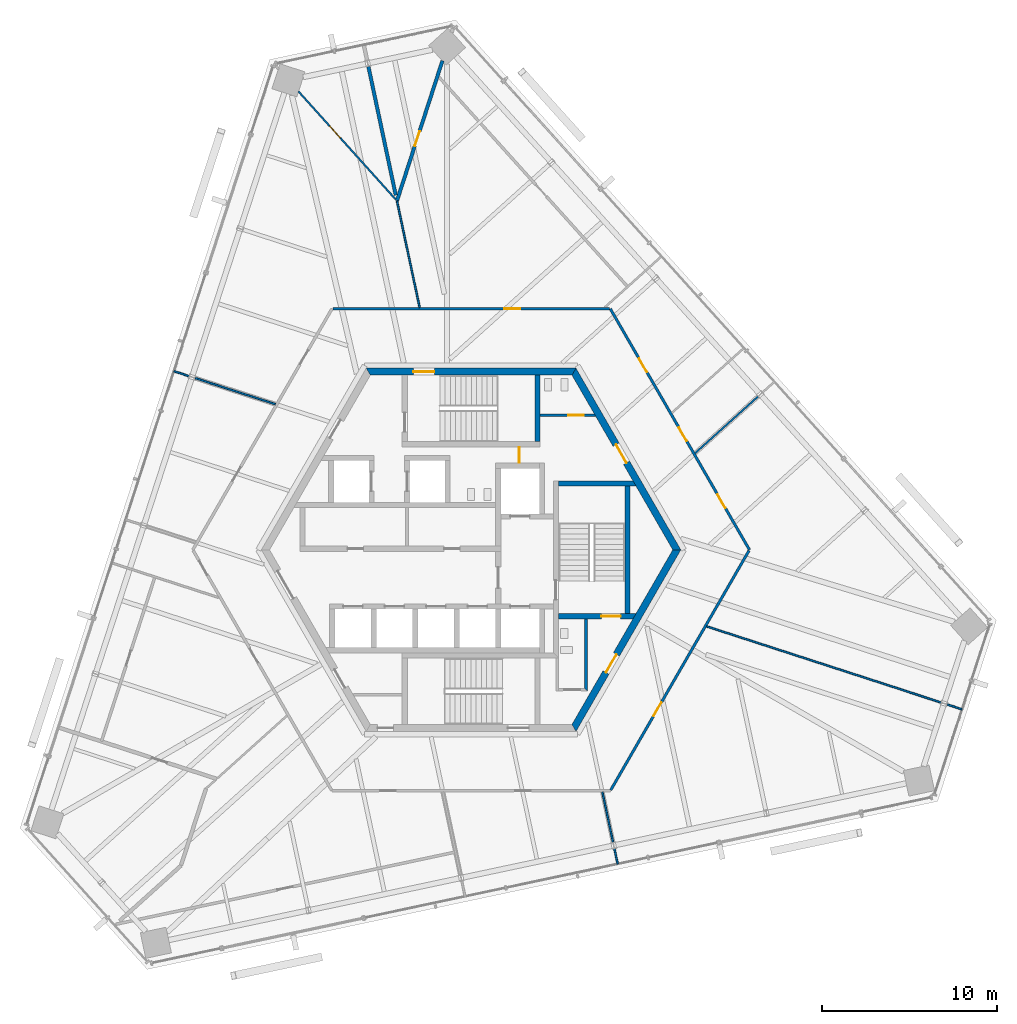
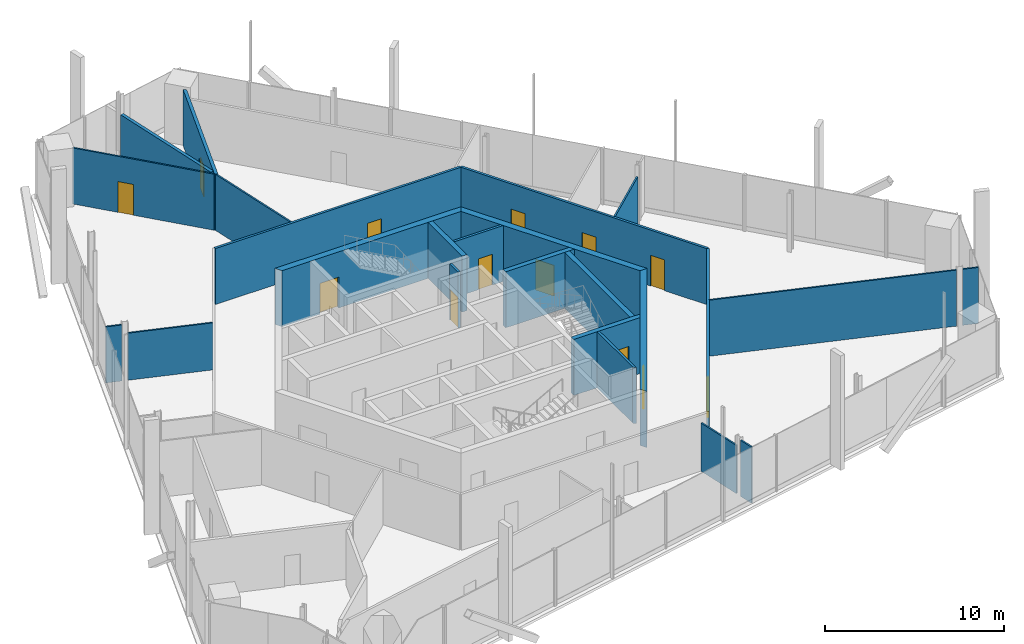
# One storey, part 12 of 17: 24 walls, 13 doors, 13 openings.
"""IFC4 building model written with IfcOpenShell, lengths in metres."""

import ifcopenshell
import ifcopenshell.guid

model = None  # the IFC model being written
_history = None  # IfcOwnerHistory: only IFC2X3 demands one
_inside = {}  # id of a spatial element -> (the spatial element, [elements in it])
_under = {}  # id of a project, library or spatial element -> (it, [spatial elements below it])
_declared = {}  # id of a project -> (the project, [libraries it declares])
_typed = {}  # id of a type object -> (the type object, [elements of that type])
_made_of = {}  # id of a material, layer set ... -> (it, [elements and type objects made of it])


def new_model(schema):
    """Start an empty IFC model of exactly this schema.

    Asked for "IFC4X3", IfcOpenShell would pick the latest addendum, in which some entities
    have other attributes; the version numbers below select the first issue.
    IFC2X3 requires an IfcOwnerHistory on every rooted entity: one is made here for all.
    """
    global model, _history
    if schema == "IFC4X3":
        model = ifcopenshell.file(schema_version=(4, 3, 0, 0))
    else:
        model = ifcopenshell.file(schema=schema)
    _inside.clear()
    _under.clear()
    _declared.clear()
    _typed.clear()
    _made_of.clear()
    _history = None
    if model.schema == "IFC2X3":
        org = make("IfcOrganization", Name="unknown")
        user = make(
            "IfcPersonAndOrganization",
            ThePerson=make("IfcPerson", FamilyName="unknown"),
            TheOrganization=org,
        )
        app = make(
            "IfcApplication",
            ApplicationDeveloper=org,
            Version="unknown",
            ApplicationFullName="unknown",
            ApplicationIdentifier="unknown",
        )
        _history = make(
            "IfcOwnerHistory",
            OwningUser=user,
            OwningApplication=app,
            ChangeAction="ADDED",
            CreationDate=0,
        )
    return model


def make(cls, **values):
    """One entity of the class cls with the attributes given. An attribute that is None is left unset."""
    return model.create_entity(
        cls, **{name: value for name, value in values.items() if value is not None}
    )


def rooted(cls, **values):
    """An entity with a GlobalId (a new one), such as an element, a storey or a relation."""
    return make(cls, GlobalId=ifcopenshell.guid.new(), OwnerHistory=_history, **values)


def si_unit(unit_type, name, prefix=None):
    """IfcSIUnit, for example si_unit("LENGTHUNIT", "METRE", prefix="MILLI")."""
    return make("IfcSIUnit", UnitType=unit_type, Prefix=prefix, Name=name)


def assignment(units):
    """IfcUnitAssignment: the units of a project."""
    return None if units is None else make("IfcUnitAssignment", Units=units)


def point(xyz):
    """IfcCartesianPoint."""
    return None if xyz is None else make("IfcCartesianPoint", Coordinates=xyz)


def direction(xyz):
    """IfcDirection."""
    return None if xyz is None else make("IfcDirection", DirectionRatios=xyz)


def frame(location, z_axis=None, x_axis=None):
    """IfcAxis2Placement3D, a coordinate frame: its origin and axes. An axis left out is left unset."""
    return make(
        "IfcAxis2Placement3D",
        Location=point(location),
        Axis=direction(z_axis),
        RefDirection=direction(x_axis),
    )


def frame_2d(location, x_axis=None):
    """IfcAxis2Placement2D, a coordinate frame in the plane: its origin and x axis."""
    return make(
        "IfcAxis2Placement2D", Location=point(location), RefDirection=direction(x_axis)
    )


def origin():
    """The frame at (0, 0, 0) with its axes left unset."""
    return frame((0.0, 0.0, 0.0))


def place(relative_to, where):
    """IfcLocalPlacement: puts the frame where relative to a parent placement (None: the world)."""
    return make(
        "IfcLocalPlacement", PlacementRelTo=relative_to, RelativePlacement=where
    )


def context(
    kind, dimensions, precision=None, world=None, true_north=None, identifier=None
):
    """IfcGeometricRepresentationContext, for example the 3D "Model" context."""
    return make(
        "IfcGeometricRepresentationContext",
        ContextIdentifier=identifier,
        ContextType=kind,
        CoordinateSpaceDimension=dimensions,
        Precision=precision,
        WorldCoordinateSystem=world,
        TrueNorth=true_north,
    )


def subcontext(parent, identifier, kind, view, scale=None):
    """IfcGeometricRepresentationSubContext, for example "Body" below "Model"."""
    return make(
        "IfcGeometricRepresentationSubContext",
        ContextIdentifier=identifier,
        ContextType=kind,
        ParentContext=parent,
        TargetScale=scale,
        TargetView=view,
    )


def project(units=None, contexts=None):
    """IfcProject with its units and contexts."""
    return rooted(
        "IfcProject",
        Name="project",
        RepresentationContexts=contexts,
        UnitsInContext=assignment(units),
    )


def spatial(cls, under=None, at=None, **own):
    """A site, building, storey or space (cls), placed at a placement, below another one or the project."""
    s = rooted(cls, ObjectPlacement=at, **own)
    if under is not None:
        _under.setdefault(under.id(), (under, []))[1].append(s)
    return s


def polyline(points):
    """IfcPolyline through the points."""
    return make("IfcPolyline", Points=[point(p) for p in points])


def profile(cls, at=None, kind="AREA", **sizes):
    """A parametric profile (cls). Its sizes go by their IFC names, for example OverallWidth=200.0."""
    return make(cls, ProfileType=kind, Position=at, **sizes)


def rectangle(**sizes):
    """IfcRectangleProfileDef."""
    return profile("IfcRectangleProfileDef", **sizes)


def outline(outer, holes=None, kind="AREA"):
    """IfcArbitraryClosedProfileDef: a profile drawn as a closed curve; with holes, ...WithVoids."""
    if holes is None:
        return make("IfcArbitraryClosedProfileDef", ProfileType=kind, OuterCurve=outer)
    return make(
        "IfcArbitraryProfileDefWithVoids",
        ProfileType=kind,
        OuterCurve=outer,
        InnerCurves=holes,
    )


def extrude(swept, where, along, depth):
    """IfcExtrudedAreaSolid: the profile swept, set in the frame where, extruded along a direction by depth."""
    return make(
        "IfcExtrudedAreaSolid",
        SweptArea=swept,
        Position=where,
        ExtrudedDirection=direction(along),
        Depth=depth,
    )


def shape(context_of_items, identifier, shape_type, items):
    """IfcShapeRepresentation: the items that make up one representation, for example the "Body"."""
    return make(
        "IfcShapeRepresentation",
        ContextOfItems=context_of_items,
        RepresentationIdentifier=identifier,
        RepresentationType=shape_type,
        Items=items,
    )


def source(mapping_origin, context_of_items, identifier, shape_type, items):
    """IfcRepresentationMap: a shape defined once, which mapped items show again and again."""
    return make(
        "IfcRepresentationMap",
        MappingOrigin=mapping_origin,
        MappedRepresentation=shape(context_of_items, identifier, shape_type, items),
    )


def transform(
    local_origin,
    x_axis=None,
    y_axis=None,
    z_axis=None,
    scale=None,
    scale2=None,
    scale3=None,
    uniform=True,
):
    """IfcCartesianTransformationOperator3D, or its non-uniform kind. x_axis, y_axis, z_axis: its Axis1, 2, 3."""
    if uniform:
        return make(
            "IfcCartesianTransformationOperator3D",
            Axis1=direction(x_axis),
            Axis2=direction(y_axis),
            LocalOrigin=point(local_origin),
            Scale=scale,
            Axis3=direction(z_axis),
        )
    return make(
        "IfcCartesianTransformationOperator3DnonUniform",
        Axis1=direction(x_axis),
        Axis2=direction(y_axis),
        LocalOrigin=point(local_origin),
        Scale=scale,
        Axis3=direction(z_axis),
        Scale2=scale2,
        Scale3=scale3,
    )


def mapped(mapping_source, mapping_target):
    """IfcMappedItem: shows the shape of a source again, moved by a transform."""
    return make(
        "IfcMappedItem", MappingSource=mapping_source, MappingTarget=mapping_target
    )


def material(Name=None, Category=None):
    """IfcMaterial."""
    return make("IfcMaterial", Name=Name, Category=Category)


def layer(
    of_material, thickness, ventilated=None, Name=None, Category=None, Priority=None
):
    """IfcMaterialLayer: one layer of a wall or slab, of a material (None: an air gap)."""
    return make(
        "IfcMaterialLayer",
        Material=of_material,
        LayerThickness=thickness,
        IsVentilated=ventilated,
        Name=Name,
        Category=Category,
        Priority=Priority,
    )


def layer_set(layers, Name=None):
    """IfcMaterialLayerSet."""
    return make("IfcMaterialLayerSet", MaterialLayers=layers, LayerSetName=Name)


def made_of(thing, what):
    """Note that an element or type object is made of a material, layer set ...; save() writes the relation."""
    if what is not None:
        _made_of.setdefault(what.id(), (what, []))[1].append(thing)
    return thing


def type_object(cls, material=None, **own):
    """A type object (cls), such as IfcWallType, which elements share."""
    return made_of(rooted(cls, **own), material)


def element(
    cls,
    number,
    at=None,
    inside=None,
    cuts=None,
    type_object=None,
    material=None,
    context=None,
    identifier="Body",
    shape_type=None,
    held_by="IfcProductDefinitionShape",
    body=None,
    shapes=None,
    **own,
):
    """One element of the class cls, such as IfcWall. Its Tag is "e" and its number.

    at: its placement. inside: the storey or other place that contains it. cuts: it is an
    opening in that element (IfcRelVoidsElement). A single representation is given by context,
    identifier, shape_type and body (its items); several are given by shapes. held_by: the class
    of the entity that holds the representations. save() writes the other relations.
    """
    e = rooted(cls, Tag="e%d" % number, ObjectPlacement=at, **own)
    if body is not None:
        shapes = [shape(context, identifier, shape_type, body)]
    if shapes is not None:
        e.Representation = make(held_by, Representations=shapes)
    if inside is not None:
        _inside.setdefault(inside.id(), (inside, []))[1].append(e)
    if cuts is not None:
        rooted(
            "IfcRelVoidsElement", RelatingBuildingElement=cuts, RelatedOpeningElement=e
        )
    if type_object is not None:
        _typed.setdefault(type_object.id(), (type_object, []))[1].append(e)
    return made_of(e, material)


def fill(opening, filler):
    """IfcRelFillsElement: the door or window that sits in an opening."""
    return rooted(
        "IfcRelFillsElement",
        RelatingOpeningElement=opening,
        RelatedBuildingElement=filler,
    )


def aggregate(whole, parts):
    """IfcRelAggregates: a whole, such as a stair, and the parts it consists of."""
    return rooted("IfcRelAggregates", RelatingObject=whole, RelatedObjects=parts)


def save(model, path):
    """Write the relations noted so far, then the file.

    IfcRelAggregates (storeys below a building ...), IfcRelContainedInSpatialStructure (elements
    in a storey), IfcRelDefinesByType, IfcRelAssociatesMaterial and IfcRelDeclares: one each for
    every whole, place, type object, material and project.
    """
    for whole, parts in _under.values():
        aggregate(whole, parts)
    for where, things in _inside.values():
        rooted(
            "IfcRelContainedInSpatialStructure",
            RelatedElements=things,
            RelatingStructure=where,
        )
    for kind, things in _typed.values():
        rooted("IfcRelDefinesByType", RelatedObjects=things, RelatingType=kind)
    for what, things in _made_of.values():
        rooted("IfcRelAssociatesMaterial", RelatedObjects=things, RelatingMaterial=what)
    for by, libraries in _declared.values():
        rooted("IfcRelDeclares", RelatingContext=by, RelatedDefinitions=libraries)
    model.write(path)


model = new_model("IFC4")

# Units and contexts
model_context = context("Model", 3, precision=1e-05, world=origin(), true_north=direction((0.0, 1.0)))
body_context = subcontext(model_context, "Body", "Model", "MODEL_VIEW")
ifc_project = project(units=[si_unit("LENGTHUNIT", "METRE"), si_unit("AREAUNIT", "SQUARE_METRE"), si_unit("VOLUMEUNIT", "CUBIC_METRE"), si_unit("PLANEANGLEUNIT", "RADIAN"), si_unit("MASSUNIT", "GRAM", prefix="KILO")], contexts=[model_context])

# Site, building, storey
site_placement = place(None, origin())
site = spatial("IfcSite", under=ifc_project, at=site_placement, CompositionType="ELEMENT")
building_placement = place(site_placement, origin())
building = spatial("IfcBuilding", under=site, at=building_placement, Name="Triune Harvest Tower", CompositionType="ELEMENT")
storey_placement = place(building_placement, frame((0.0, 0.0, 288.699951171875)))
storey = spatial("IfcBuildingStorey", under=building, at=storey_placement, Name="L76", CompositionType="ELEMENT", Elevation=288.699951171875)

# Wall, opening, door
ifc_material_1 = material(Name="Gypsum board on steel studs", Category="steel")
ifc_layer_1 = layer(ifc_material_1, 0.14990234375)
ifc_layer_set_1 = layer_set([ifc_layer_1], Name="Gypsum board on steel studs")
wall_type_1 = type_object("IfcWallType", Name="Fire Partition 150 mm", PredefinedType="PARTITIONING", material=ifc_layer_set_1)
wall_1_placement = place(storey_placement, frame((-7.9130859375, 13.792236328125, 0.0), z_axis=(0.0, 0.0, 1.0), x_axis=(1.0, 0.0, 0.0)))
wall_1 = element("IfcWall", 1, at=wall_1_placement, inside=storey, type_object=wall_type_1, Name="Partition L76 022", PredefinedType="PARTITIONING", context=body_context, shape_type="SweptSolid", body=[
    extrude(rectangle(XDim=15.826171875, YDim=0.14990234375, at=frame_2d((7.9130859375, 0.0))), origin(), (0.0, 0.0, 1.0), 3.820068359375),
])
opening_1_placement = place(wall_1_placement, frame((9.8212890625, 0.0, 0.0)))
opening_1 = element("IfcOpeningElement", 2, at=opening_1_placement, cuts=wall_1, Name="Opening L76-002", PredefinedType="OPENING", context=body_context, shape_type="SweptSolid", body=[
    extrude(rectangle(XDim=0.89990234375, YDim=2.10009765625, at=frame_2d((0.449951171875, 1.050048828125))), frame((0.0, 0.0849609375, 0.0), z_axis=(0.0, -1.0, 0.0), x_axis=(1.0, 0.0, 0.0)), (0.0, 0.0, 1.0), 0.169921875),
])
ifc_material_2 = material(Name="Timber and steel door set", Category="steel")
door_type_1 = type_object("IfcDoorType", Name="Single leaf door FD30 right hand 900 x 2100", OperationType="SINGLE_SWING_RIGHT", PredefinedType="DOOR", material=ifc_material_2)
door_1_placement = place(opening_1_placement, origin())
door_1 = element("IfcDoor", 3, at=door_1_placement, inside=storey, type_object=door_type_1, Name="Door L76-002 Event Hall 76.02", OperationType="SINGLE_SWING_RIGHT", OverallHeight=2.10009765625, OverallWidth=0.89990234375, PredefinedType="DOOR", context=body_context, shape_type="SweptSolid", body=[
    extrude(rectangle(XDim=0.89990234375, YDim=2.10009765625, at=frame_2d((0.449951171875, 1.050048828125))), frame((0.0, 0.02490234375, 0.0), z_axis=(0.0, -1.0, 0.0), x_axis=(1.0, 0.0, 0.0)), (0.0, 0.0, 1.0), 0.050048828125),
])
fill(opening_1, door_1)

wall_2_placement = place(storey_placement, frame((7.988037109375, -13.7490234375, 0.0), z_axis=(0.0, 0.0, 1.0), x_axis=(0.499989971604, 0.866031193604, 0.0)))
wall_2 = element("IfcWall", 4, at=wall_2_placement, inside=storey, type_object=wall_type_1, Name="Partition L76 031", PredefinedType="PARTITIONING", context=body_context, shape_type="SweptSolid", body=[
    extrude(rectangle(XDim=15.825927734375, YDim=0.14990234375, at=frame_2d((7.9130859375, 0.0))), origin(), (0.0, 0.0, 1.0), 3.820068359375),
])
opening_2_placement = place(wall_2_placement, frame((4.89990234375, 0.0, 0.0)))
opening_2 = element("IfcOpeningElement", 5, at=opening_2_placement, cuts=wall_2, Name="Opening L76-017", PredefinedType="OPENING", context=body_context, shape_type="SweptSolid", body=[
    extrude(rectangle(XDim=0.89990234375, YDim=2.10009765625, at=frame_2d((0.449951171875, 1.050048828125))), frame((0.0, 0.0849609375, 0.0), z_axis=(0.0, -1.0, 0.0), x_axis=(1.0, 0.0, 0.0)), (0.0, 0.0, 1.0), 0.169921875),
])
door_2_placement = place(opening_2_placement, origin())
door_2 = element("IfcDoor", 6, at=door_2_placement, inside=storey, type_object=door_type_1, Name="Door L76-017 Event Store Room 76.17", OperationType="SINGLE_SWING_RIGHT", OverallHeight=2.10009765625, OverallWidth=0.89990234375, PredefinedType="DOOR", context=body_context, shape_type="SweptSolid", body=[
    extrude(rectangle(XDim=0.89990234375, YDim=2.10009765625, at=frame_2d((0.449951171875, 1.050048828125))), frame((0.0, 0.02490234375, 0.0), z_axis=(0.0, -1.0, 0.0), x_axis=(1.0, 0.0, 0.0)), (0.0, 0.0, 1.0), 0.050048828125),
])
fill(opening_2, door_2)

# Wall
ifc_material_3 = material(Name="Gypsum board on steel studs", Category="steel")
ifc_layer_2 = layer(ifc_material_3, 0.199951171875)
ifc_layer_set_2 = layer_set([ifc_layer_2], Name="Gypsum board on steel studs")
wall_type_2 = type_object("IfcWallType", Name="Fire Wall 200 mm", PredefinedType="PARTITIONING", material=ifc_layer_set_2)
wall_3_placement = place(storey_placement, frame((-5.8798828125, 27.66357421875, 0.0), z_axis=(0.0, 0.0, 1.0), x_axis=(0.20790718491, -0.978148558483, 0.0)))
element("IfcWall", 7, at=wall_3_placement, inside=storey, type_object=wall_type_2, Name="Partition L76 004", PredefinedType="PARTITIONING", context=body_context, shape_type="SweptSolid", body=[
    extrude(rectangle(XDim=7.53662109375, YDim=0.199951171875, at=frame_2d((3.768310546875, 0.0))), origin(), (0.0, 0.0, 1.0), 3.820068359375),
])

# Wall, opening, door
wall_4_placement = place(storey_placement, frame((-4.244384765625, 19.968994140625, 0.0), z_axis=(0.0, 0.0, 1.0), x_axis=(0.309003515678, 0.951060895684, 0.0)))
wall_4 = element("IfcWall", 8, at=wall_4_placement, inside=storey, type_object=wall_type_2, Name="Partition L76 034", PredefinedType="PARTITIONING", context=body_context, shape_type="SweptSolid", body=[
    extrude(rectangle(XDim=8.425537109375, YDim=0.199951171875, at=frame_2d((4.212890625, 0.0))), origin(), (0.0, 0.0, 1.0), 3.820068359375),
])
opening_3_placement = place(wall_4_placement, frame((3.291259765625, 0.0, 0.0)))
opening_3 = element("IfcOpeningElement", 9, at=opening_3_placement, cuts=wall_4, Name="Opening L76-006", PredefinedType="OPENING", context=body_context, shape_type="SweptSolid", body=[
    extrude(rectangle(XDim=0.89990234375, YDim=2.10009765625, at=frame_2d((0.449951171875, 1.050048828125))), frame((0.0, 0.10986328125, 0.0), z_axis=(0.0, -1.0, 0.0), x_axis=(1.0, 0.0, 0.0)), (0.0, 0.0, 1.0), 0.219970703125),
])
ifc_material_4 = material(Name="Timber and steel door set", Category="steel")
door_type_2 = type_object("IfcDoorType", Name="Single leaf door FD60 left hand 900 x 2100", OperationType="SINGLE_SWING_LEFT", PredefinedType="DOOR", material=ifc_material_4)
door_3_placement = place(opening_3_placement, origin())
door_3 = element("IfcDoor", 10, at=door_3_placement, inside=storey, type_object=door_type_2, Name="Door L76-006 Catering Kitchen 76.06", OperationType="SINGLE_SWING_LEFT", OverallHeight=2.10009765625, OverallWidth=0.89990234375, PredefinedType="DOOR", context=body_context, shape_type="SweptSolid", body=[
    extrude(rectangle(XDim=0.89990234375, YDim=2.10009765625, at=frame_2d((0.449951171875, 1.050048828125))), frame((0.0, 0.02490234375, 0.0), z_axis=(0.0, -1.0, 0.0), x_axis=(1.0, 0.0, 0.0)), (0.0, 0.0, 1.0), 0.050048828125),
])
fill(opening_3, door_3)

# Wall
ifc_material_5 = material(Name="Gypsum board on steel studs", Category="steel")
ifc_layer_3 = layer(ifc_material_5, 0.10009765625)
ifc_layer_set_3 = layer_set([ifc_layer_3], Name="Gypsum board on steel studs")
wall_type_3 = type_object("IfcWallType", Name="Partition 100 mm", PredefinedType="PARTITIONING", material=ifc_layer_set_3)
wall_5_placement = place(storey_placement, frame((-4.242431640625, 19.959228515625, 0.0), z_axis=(0.0, 0.0, 1.0), x_axis=(0.207894817732, -0.978151187067, 0.0)))
element("IfcWall", 11, at=wall_5_placement, inside=storey, type_object=wall_type_3, Name="Partition L76 005", PredefinedType="PARTITIONING", context=body_context, shape_type="SweptSolid", body=[
    extrude(rectangle(XDim=6.234619140625, YDim=0.10009765625, at=frame_2d((3.1171875, 0.0))), origin(), (0.0, 0.0, 1.0), 3.820068359375),
])

# Wall, opening, door
wall_6_placement = place(storey_placement, frame((-9.88232421875, 26.23046875, 0.0), z_axis=(0.0, 0.0, 1.0), x_axis=(0.66913036208, -0.743145045427, 0.0)))
wall_6 = element("IfcWall", 12, at=wall_6_placement, inside=storey, type_object=wall_type_3, Name="Partition L76 011", PredefinedType="PARTITIONING", context=body_context, shape_type="SweptSolid", body=[
    extrude(rectangle(XDim=8.3056640625, YDim=0.10009765625, at=frame_2d((4.15283203125, 0.0))), origin(), (0.0, 0.0, 1.0), 3.820068359375),
])
opening_4_placement = place(wall_6_placement, frame((2.675537109375, 0.0, 0.0)))
opening_4 = element("IfcOpeningElement", 13, at=opening_4_placement, cuts=wall_6, Name="Opening L76-007", PredefinedType="OPENING", context=body_context, shape_type="SweptSolid", body=[
    extrude(rectangle(XDim=0.89990234375, YDim=2.10009765625, at=frame_2d((0.449951171875, 1.050048828125))), frame((0.0, 0.06005859375, 0.0), z_axis=(0.0, -1.0, 0.0), x_axis=(1.0, 0.0, 0.0)), (0.0, 0.0, 1.0), 0.1201171875),
])
ifc_material_6 = material(Name="Timber and steel door set", Category="steel")
door_type_3 = type_object("IfcDoorType", Name="Single leaf door left hand 900 x 2100", OperationType="SINGLE_SWING_LEFT", PredefinedType="DOOR", material=ifc_material_6)
door_4_placement = place(opening_4_placement, origin())
door_4 = element("IfcDoor", 14, at=door_4_placement, inside=storey, type_object=door_type_3, Name="Door L76-007 Performers Suite 76.07", OperationType="SINGLE_SWING_LEFT", OverallHeight=2.10009765625, OverallWidth=0.89990234375, PredefinedType="DOOR", context=body_context, shape_type="SweptSolid", body=[
    extrude(rectangle(XDim=0.89990234375, YDim=2.10009765625, at=frame_2d((0.449951171875, 1.050048828125))), frame((0.0, 0.02490234375, 0.0), z_axis=(0.0, -1.0, 0.0), x_axis=(1.0, 0.0, 0.0)), (0.0, 0.0, 1.0), 0.050048828125),
])
fill(opening_4, door_4)

# Walls
wall_7_placement = place(storey_placement, frame((13.476806640625, -4.37890625, 0.0), z_axis=(0.0, 0.0, 1.0), x_axis=(0.951057332998, -0.309014480811, 0.0)))
element("IfcWall", 15, at=wall_7_placement, inside=storey, type_object=wall_type_3, Name="Partition L76 017", PredefinedType="PARTITIONING", context=body_context, shape_type="SweptSolid", body=[
    extrude(rectangle(XDim=14.111328125, YDim=0.10009765625, at=frame_2d((7.0556640625, 0.0))), origin(), (0.0, 0.0, 1.0), 3.820068359375),
])
wall_8_placement = place(storey_placement, frame((12.8125, 5.529541015625, 0.0), z_axis=(0.0, 0.0, 1.0), x_axis=(0.743166544571, 0.669106484074, 0.0)))
element("IfcWall", 16, at=wall_8_placement, inside=storey, type_object=wall_type_3, Name="Partition L76 024", PredefinedType="PARTITIONING", context=body_context, shape_type="SweptSolid", body=[
    extrude(rectangle(XDim=4.8525390625, YDim=0.10009765625, at=frame_2d((2.42626953125, 0.0))), origin(), (0.0, 0.0, 1.0), 3.207763671875),
])

# Wall, opening, door
ifc_material_7 = material(Name="Concrete 70 MPa", Category="concrete")
ifc_layer_4 = layer(ifc_material_7, 0.39990234375)
ifc_layer_set_4 = layer_set([ifc_layer_4], Name="Concrete 70 MPa")
wall_type_4 = type_object("IfcWallType", Name="Core wall 400", PredefinedType="SHEAR", material=ifc_layer_set_4)
shared_shape_1 = source(origin(), body_context, "Body", "SweptSolid", [
    extrude(outline(polyline([(-0.115478515625, -0.199951171875), (11.884521484375, -0.199951171875), (11.653564453125, 0.199951171875), (0.115478515625, 0.199951171875), (-0.115478515625, -0.199951171875)])), origin(), (0.0, 0.0, 1.0), 3.820068359375),
])
wall_9_placement = place(storey_placement, frame((11.76904296875, 0.0, 0.0), z_axis=(0.0, 0.0, 1.0), x_axis=(-0.499996592174, 0.866027371285, 0.0)))
wall_9 = element("IfcWall", 17, at=wall_9_placement, inside=storey, type_object=wall_type_4, Name="Hexagon 0 wall", PredefinedType="SHEAR", context=body_context, shape_type="MappedRepresentation", body=[
    mapped(shared_shape_1, transform((0.0, 0.0, 0.0), scale=1.0)),
])
opening_5_placement = place(wall_9_placement, frame((5.75048828125, 0.0, 0.0)))
opening_5 = element("IfcOpeningElement", 18, at=opening_5_placement, cuts=wall_9, Name="Opening CD-WCP", PredefinedType="OPENING", context=body_context, shape_type="SweptSolid", body=[
    extrude(rectangle(XDim=1.199951171875, YDim=2.10009765625, at=frame_2d((0.60009765625, 1.050048828125))), frame((0.0, 0.2099609375, 0.0), z_axis=(0.0, -1.0, 0.0), x_axis=(1.0, 0.0, 0.0)), (0.0, 0.0, 1.0), 0.419921875),
])
ifc_material_8 = material(Name="Steel S235", Category="steel")
door_type_4 = type_object("IfcDoorType", Name="Lobby door 1200 FD120", OperationType="SINGLE_SWING_LEFT", PredefinedType="DOOR", material=ifc_material_8)
door_5_placement = place(opening_5_placement, frame((1.199951171875, 0.0, 0.0), z_axis=(0.0, 0.0, 1.0), x_axis=(-1.0, 0.0, 0.0)))
door_5 = element("IfcDoor", 19, at=door_5_placement, inside=storey, type_object=door_type_4, Name="Door CD-WCP", OperationType="SINGLE_SWING_RIGHT", OverallHeight=2.10009765625, OverallWidth=1.199951171875, PredefinedType="DOOR", context=body_context, shape_type="SweptSolid", body=[
    extrude(rectangle(XDim=1.199951171875, YDim=2.10009765625, at=frame_2d((0.60009765625, 1.050048828125))), frame((0.0, 0.02490234375, 0.0), z_axis=(0.0, -1.0, 0.0), x_axis=(1.0, 0.0, 0.0)), (0.0, 0.0, 1.0), 0.050048828125),
])
fill(opening_5, door_5)

wall_10_placement = place(storey_placement, frame((5.884521484375, 10.1923828125, 0.0), z_axis=(0.0, 0.0, 1.0), x_axis=(-1.0, 0.0, 0.0)))
wall_10 = element("IfcWall", 20, at=wall_10_placement, inside=storey, type_object=wall_type_4, Name="Hexagon 1 wall", PredefinedType="SHEAR", context=body_context, shape_type="MappedRepresentation", body=[
    mapped(shared_shape_1, transform((0.0, 0.0, 0.0), scale=1.0)),
])
opening_6_placement = place(wall_10_placement, frame((7.984619140625, 0.0, 0.0)))
opening_6 = element("IfcOpeningElement", 21, at=opening_6_placement, cuts=wall_10, Name="Opening CD-S1P", PredefinedType="OPENING", context=body_context, shape_type="SweptSolid", body=[
    extrude(rectangle(XDim=1.199951171875, YDim=2.10009765625, at=frame_2d((0.60009765625, 1.050048828125))), frame((0.0, 0.2099609375, 0.0), z_axis=(0.0, -1.0, 0.0), x_axis=(1.0, 0.0, 0.0)), (0.0, 0.0, 1.0), 0.419921875),
])
ifc_material_9 = material(Name="Steel S235", Category="steel")
door_type_5 = type_object("IfcDoorType", Name="Stair door 1200 FD120", OperationType="SINGLE_SWING_LEFT", PredefinedType="DOOR", material=ifc_material_9)
door_6_placement = place(opening_6_placement, frame((1.199951171875, 0.0, 0.0), z_axis=(0.0, 0.0, 1.0), x_axis=(-1.0, 0.0, 0.0)))
door_6 = element("IfcDoor", 22, at=door_6_placement, inside=storey, type_object=door_type_5, Name="Door CD-S1P", OperationType="SINGLE_SWING_RIGHT", OverallHeight=2.10009765625, OverallWidth=1.199951171875, PredefinedType="DOOR", context=body_context, shape_type="SweptSolid", body=[
    extrude(rectangle(XDim=1.199951171875, YDim=2.10009765625, at=frame_2d((0.60009765625, 1.050048828125))), frame((0.0, 0.02490234375, 0.0), z_axis=(0.0, -1.0, 0.0), x_axis=(1.0, 0.0, 0.0)), (0.0, 0.0, 1.0), 0.050048828125),
])
fill(opening_6, door_6)

wall_11_placement = place(storey_placement, frame((5.884521484375, -10.1923828125, 0.0), z_axis=(0.0, 0.0, 1.0), x_axis=(0.499996592174, 0.866027371285, 0.0)))
wall_11 = element("IfcWall", 23, at=wall_11_placement, inside=storey, type_object=wall_type_4, Name="Hexagon 5 wall", PredefinedType="SHEAR", context=body_context, shape_type="MappedRepresentation", body=[
    mapped(shared_shape_1, transform((0.0, 0.0, 0.0), scale=1.0)),
])
opening_7_placement = place(wall_11_placement, frame((3.66455078125, 0.0, 0.0)))
opening_7 = element("IfcOpeningElement", 24, at=opening_7_placement, cuts=wall_11, Name="Opening CD-DP", PredefinedType="OPENING", context=body_context, shape_type="SweptSolid", body=[
    extrude(rectangle(XDim=1.199951171875, YDim=2.10009765625, at=frame_2d((0.60009765625, 1.050048828125))), frame((0.0, 0.2099609375, 0.0), z_axis=(0.0, -1.0, 0.0), x_axis=(1.0, 0.0, 0.0)), (0.0, 0.0, 1.0), 0.419921875),
])
door_7_placement = place(opening_7_placement, frame((1.199951171875, 0.0, 0.0), z_axis=(0.0, 0.0, 1.0), x_axis=(-1.0, 0.0, 0.0)))
door_7 = element("IfcDoor", 25, at=door_7_placement, inside=storey, type_object=door_type_5, Name="Door CD-DP", OperationType="SINGLE_SWING_RIGHT", OverallHeight=2.10009765625, OverallWidth=1.199951171875, PredefinedType="DOOR", context=body_context, shape_type="SweptSolid", body=[
    extrude(rectangle(XDim=1.199951171875, YDim=2.10009765625, at=frame_2d((0.60009765625, 1.050048828125))), frame((0.0, 0.02490234375, 0.0), z_axis=(0.0, -1.0, 0.0), x_axis=(1.0, 0.0, 0.0)), (0.0, 0.0, 1.0), 0.050048828125),
])
fill(opening_7, door_7)

# Wall
ifc_material_10 = material(Name="Concrete 70 MPa", Category="concrete")
ifc_layer_5 = layer(ifc_material_10, 0.300048828125)
ifc_layer_set_5 = layer_set([ifc_layer_5], Name="Concrete 70 MPa")
wall_type_5 = type_object("IfcWallType", Name="Core wall 300", PredefinedType="SHEAR", material=ifc_layer_set_5)
shared_shape_2 = source(origin(), body_context, "Body", "SweptSolid", [
    extrude(outline(polyline([(0.0, -0.14990234375), (0.0, 0.14990234375), (4.260009765625, 0.14990234375), (4.43310546875, -0.14990234375), (0.0, -0.14990234375)])), origin(), (0.0, 0.0, 1.0), 3.820068359375),
])
wall_12_placement = place(storey_placement, frame((5.0, 3.800048828125, 0.0), z_axis=(0.0, 0.0, 1.0), x_axis=(1.0, 0.0, 0.0)))
element("IfcWall", 26, at=wall_12_placement, inside=storey, type_object=wall_type_5, Name="Stair e north wall", PredefinedType="SHEAR", context=body_context, shape_type="MappedRepresentation", body=[
    mapped(shared_shape_2, transform((0.0, 0.0, 0.0), scale=1.0)),
])

# Wall, opening, door
shared_shape_3 = source(origin(), body_context, "Body", "SweptSolid", [
    extrude(outline(polyline([(0.0, -0.14990234375), (0.0, 0.14990234375), (4.43310546875, 0.14990234375), (4.260009765625, -0.14990234375), (0.0, -0.14990234375)])), origin(), (0.0, 0.0, 1.0), 3.820068359375),
])
wall_13_placement = place(storey_placement, frame((5.0, -3.800048828125, 0.0), z_axis=(0.0, 0.0, 1.0), x_axis=(1.0, 0.0, 0.0)))
wall_13 = element("IfcWall", 27, at=wall_13_placement, inside=storey, type_object=wall_type_5, Name="Stair e south wall", PredefinedType="SHEAR", context=body_context, shape_type="MappedRepresentation", body=[
    mapped(shared_shape_3, transform((0.0, 0.0, 0.0), scale=1.0)),
])
opening_8_placement = place(wall_13_placement, frame((2.449951171875, 0.0, 0.0)))
opening_8 = element("IfcOpeningElement", 28, at=opening_8_placement, cuts=wall_13, Name="Opening CD-S3D", PredefinedType="OPENING", context=body_context, shape_type="SweptSolid", body=[
    extrude(rectangle(XDim=1.10009765625, YDim=2.10009765625, at=frame_2d((0.550048828125, 1.050048828125))), frame((0.0, 0.16015625, 0.0), z_axis=(0.0, -1.0, 0.0), x_axis=(1.0, 0.0, 0.0)), (0.0, 0.0, 1.0), 0.320068359375),
])
ifc_material_11 = material(Name="Steel S235", Category="steel")
door_type_6 = type_object("IfcDoorType", Name="Stair door 1100 FD120", OperationType="SINGLE_SWING_LEFT", PredefinedType="DOOR", material=ifc_material_11)
door_8_placement = place(opening_8_placement, frame((1.10009765625, 0.0, 0.0), z_axis=(0.0, 0.0, 1.0), x_axis=(-1.0, 0.0, 0.0)))
door_8 = element("IfcDoor", 29, at=door_8_placement, inside=storey, type_object=door_type_6, Name="Door CD-S3D", OperationType="SINGLE_SWING_RIGHT", OverallHeight=2.10009765625, OverallWidth=1.10009765625, PredefinedType="DOOR", context=body_context, shape_type="SweptSolid", body=[
    extrude(rectangle(XDim=1.10009765625, YDim=2.10009765625, at=frame_2d((0.550048828125, 1.050048828125))), frame((0.0, 0.02490234375, 0.0), z_axis=(0.0, -1.0, 0.0), x_axis=(1.0, 0.0, 0.0)), (0.0, 0.0, 1.0), 0.050048828125),
])
fill(opening_8, door_8)

# Walls
shared_shape_4 = source(origin(), body_context, "Body", "SweptSolid", [
    extrude(rectangle(XDim=7.2998046875, YDim=0.300048828125, at=frame_2d((3.64990234375, 0.0))), origin(), (0.0, 0.0, 1.0), 3.820068359375),
])
wall_14_placement = place(storey_placement, frame((8.949951171875, -3.64990234375, 0.0), z_axis=(0.0, 0.0, 1.0), x_axis=(0.0, 1.0, 0.0)))
element("IfcWall", 30, at=wall_14_placement, inside=storey, type_object=wall_type_5, Name="Stair e east wall", PredefinedType="SHEAR", context=body_context, shape_type="MappedRepresentation", body=[
    mapped(shared_shape_4, transform((0.0, 0.0, 0.0), scale=1.0)),
])
shared_shape_5 = source(origin(), body_context, "Body", "SweptSolid", [
    extrude(outline(polyline([(0.0, -0.14990234375), (0.0, 0.14990234375), (3.80419921875, 0.14990234375), (3.80419921875, -0.14990234375), (0.0, -0.14990234375)])), origin(), (0.0, 0.0, 1.0), 3.820068359375),
])
wall_15_placement = place(storey_placement, frame((3.800048828125, 6.18994140625, 0.0), z_axis=(0.0, 0.0, 1.0), x_axis=(0.0, 1.0, 0.0)))
element("IfcWall", 31, at=wall_15_placement, inside=storey, type_object=wall_type_5, Name="Stair n east wall", PredefinedType="SHEAR", context=body_context, shape_type="MappedRepresentation", body=[
    mapped(shared_shape_5, transform((0.0, 0.0, 0.0), scale=1.0)),
])
ifc_material_12 = material(Name="Concrete masonry unit", Category="masonry")
ifc_layer_6 = layer(ifc_material_12, 0.14990234375)
ifc_layer_set_6 = layer_set([ifc_layer_6], Name="Concrete masonry unit")
wall_type_6 = type_object("IfcWallType", Name="Block partition 150 unrated", PredefinedType="PARTITIONING", material=ifc_layer_set_6)
shared_shape_6 = source(origin(), body_context, "Body", "SweptSolid", [
    extrude(outline(polyline([(-0.074951171875, -0.074951171875), (4.050048828125, -0.074951171875), (4.050048828125, 0.074951171875), (0.074951171875, 0.074951171875), (-0.074951171875, -0.074951171875)])), origin(), (0.0, 0.0, 1.0), 3.820068359375),
])
wall_16_placement = place(storey_placement, frame((6.574951171875, -8.0, 0.0), z_axis=(0.0, 0.0, 1.0), x_axis=(0.0, 1.0, 0.0)))
element("IfcWall", 32, at=wall_16_placement, inside=storey, type_object=wall_type_6, Name="Wc acc east wall", PredefinedType="PARTITIONING", context=body_context, shape_type="MappedRepresentation", body=[
    mapped(shared_shape_6, transform((0.0, 0.0, 0.0), scale=1.0)),
])

# Wall, opening, door
shared_shape_7 = source(origin(), body_context, "Body", "SweptSolid", [
    extrude(outline(polyline([(0.0, -0.074951171875), (0.0, 0.074951171875), (3.1015625, 0.074951171875), (3.18798828125, -0.074951171875), (0.0, -0.074951171875)])), origin(), (0.0, 0.0, 1.0), 3.820068359375),
])
wall_17_placement = place(storey_placement, frame((3.949951171875, 7.699951171875, 0.0), z_axis=(0.0, 0.0, 1.0), x_axis=(1.0, 0.0, 0.0)))
wall_17 = element("IfcWall", 33, at=wall_17_placement, inside=storey, type_object=wall_type_6, Name="Wc women south wall", PredefinedType="PARTITIONING", context=body_context, shape_type="MappedRepresentation", body=[
    mapped(shared_shape_7, transform((0.0, 0.0, 0.0), scale=1.0)),
])
opening_9_placement = place(wall_17_placement, frame((1.60009765625, 0.0, 0.0)))
opening_9 = element("IfcOpeningElement", 34, at=opening_9_placement, cuts=wall_17, Name="Opening CD-WW", PredefinedType="OPENING", context=body_context, shape_type="SweptSolid", body=[
    extrude(rectangle(XDim=0.89990234375, YDim=2.10009765625, at=frame_2d((0.449951171875, 1.050048828125))), frame((0.0, 0.0849609375, 0.0), z_axis=(0.0, -1.0, 0.0), x_axis=(1.0, 0.0, 0.0)), (0.0, 0.0, 1.0), 0.169921875),
])
ifc_material_13 = material(Name="Timber C24", Category="wood")
door_type_7 = type_object("IfcDoorType", Name="WC door 900", OperationType="SINGLE_SWING_LEFT", PredefinedType="DOOR", material=ifc_material_13)
door_9_placement = place(opening_9_placement, origin())
door_9 = element("IfcDoor", 35, at=door_9_placement, inside=storey, type_object=door_type_7, Name="Door CD-WW", OperationType="SINGLE_SWING_LEFT", OverallHeight=2.10009765625, OverallWidth=0.89990234375, PredefinedType="DOOR", context=body_context, shape_type="SweptSolid", body=[
    extrude(rectangle(XDim=0.89990234375, YDim=2.10009765625, at=frame_2d((0.449951171875, 1.050048828125))), frame((0.0, 0.02490234375, 0.0), z_axis=(0.0, -1.0, 0.0), x_axis=(1.0, 0.0, 0.0)), (0.0, 0.0, 1.0), 0.050048828125),
])
fill(opening_9, door_9)

shared_shape_8 = source(origin(), body_context, "Body", "SweptSolid", [
    extrude(rectangle(XDim=0.929931640625, YDim=0.14990234375, at=frame_2d((0.46484375, 0.0))), origin(), (0.0, 0.0, 1.0), 3.820068359375),
])
wall_18_placement = place(storey_placement, frame((2.75, 4.9599609375, 0.0), z_axis=(0.0, 0.0, 1.0), x_axis=(0.0, 1.0, 0.0)))
wall_18 = element("IfcWall", 36, at=wall_18_placement, inside=storey, type_object=wall_type_6, Name="Wc men east b wall", PredefinedType="PARTITIONING", context=body_context, shape_type="MappedRepresentation", body=[
    mapped(shared_shape_8, transform((0.0, 0.0, 0.0), scale=1.0)),
])
opening_10_placement = place(wall_18_placement, frame((0.014892578125, 0.0, 0.0)))
opening_10 = element("IfcOpeningElement", 37, at=opening_10_placement, cuts=wall_18, Name="Opening CD-WM", PredefinedType="OPENING", context=body_context, shape_type="SweptSolid", body=[
    extrude(rectangle(XDim=0.89990234375, YDim=2.10009765625, at=frame_2d((0.449951171875, 1.050048828125))), frame((0.0, 0.0849609375, 0.0), z_axis=(0.0, -1.0, 0.0), x_axis=(1.0, 0.0, 0.0)), (0.0, 0.0, 1.0), 0.169921875),
])
door_10_placement = place(opening_10_placement, origin())
door_10 = element("IfcDoor", 38, at=door_10_placement, inside=storey, type_object=door_type_7, Name="Door CD-WM", OperationType="SINGLE_SWING_LEFT", OverallHeight=2.10009765625, OverallWidth=0.89990234375, PredefinedType="DOOR", context=body_context, shape_type="SweptSolid", body=[
    extrude(rectangle(XDim=0.89990234375, YDim=2.10009765625, at=frame_2d((0.449951171875, 1.050048828125))), frame((0.0, 0.02490234375, 0.0), z_axis=(0.0, -1.0, 0.0), x_axis=(1.0, 0.0, 0.0)), (0.0, 0.0, 1.0), 0.050048828125),
])
fill(opening_10, door_10)

# Walls
shared_shape_9 = source(origin(), body_context, "Body", "SweptSolid", [
    extrude(rectangle(XDim=4.852294921875, YDim=0.10009765625, at=frame_2d((2.42626953125, 0.0))), origin(), (0.0, 0.0, 1.0), 3.207763671875),
])
wall_19_placement = place(storey_placement, frame((-15.809814453125, 9.830810546875, 0.0), z_axis=(0.0, 0.0, 1.0), x_axis=(0.951051075925, -0.309033737611, 0.0)))
element("IfcWall", 39, at=wall_19_placement, inside=storey, type_object=wall_type_3, Name="Partition L76 020", PredefinedType="PARTITIONING", context=body_context, shape_type="MappedRepresentation", body=[
    mapped(shared_shape_9, transform((0.0, 0.0, 0.0), scale=1.0)),
])
shared_shape_10 = source(origin(), body_context, "Body", "SweptSolid", [
    extrude(rectangle(XDim=0.91552734375, YDim=0.10009765625, at=frame_2d((0.457763671875, 0.0))), origin(), (0.0, 0.0, 1.0), 3.820068359375),
])
wall_20_placement = place(storey_placement, frame((8.195068359375, -17.083984375, 0.0), z_axis=(0.0, 0.0, 1.0), x_axis=(0.207999082957, -0.978129020881, 0.0)))
element("IfcWall", 40, at=wall_20_placement, inside=storey, type_object=wall_type_3, Name="Partition L76 007", PredefinedType="PARTITIONING", context=body_context, shape_type="MappedRepresentation", body=[
    mapped(shared_shape_10, transform((0.0, 0.0, 0.0), scale=1.0)),
])
shared_shape_11 = source(origin(), body_context, "Body", "SweptSolid", [
    extrude(rectangle(XDim=2.95458984375, YDim=0.10009765625, at=frame_2d((1.477294921875, 0.0))), origin(), (0.0, 0.0, 1.0), 3.283935546875),
])
wall_21_placement = place(storey_placement, frame((7.510009765625, -13.86083984375, 0.0), z_axis=(0.0, 0.0, 1.0), x_axis=(0.207892355412, -0.978151710401, 0.0)))
element("IfcWall", 41, at=wall_21_placement, inside=storey, type_object=wall_type_3, Name="Partition L76 006", PredefinedType="PARTITIONING", context=body_context, shape_type="MappedRepresentation", body=[
    mapped(shared_shape_11, transform((0.0, 0.0, 0.0), scale=1.0)),
])

# Wall, openings, doors
shared_shape_12 = source(origin(), body_context, "Body", "SweptSolid", [
    extrude(rectangle(XDim=15.92626953125, YDim=0.14990234375, at=frame_2d((7.963134765625, 0.0))), origin(), (0.0, 0.0, 1.0), 3.820068359375),
])
wall_22_placement = place(storey_placement, frame((7.962890625, 13.79248046875, 0.0), z_axis=(0.0, 0.0, 1.0), x_axis=(0.50000199926, -0.866024249508, 0.0)))
wall_22 = element("IfcWall", 42, at=wall_22_placement, inside=storey, type_object=wall_type_1, Name="Partition L76 009", PredefinedType="PARTITIONING", context=body_context, shape_type="MappedRepresentation", body=[
    mapped(shared_shape_12, transform((0.0, 0.0, 0.0), scale=1.0)),
])
opening_11_placement = place(wall_22_placement, frame((12.276123046875, 0.0, 0.0)))
opening_11 = element("IfcOpeningElement", 43, at=opening_11_placement, cuts=wall_22, Name="Opening L76-001", PredefinedType="OPENING", context=body_context, shape_type="SweptSolid", body=[
    extrude(rectangle(XDim=0.89990234375, YDim=2.10009765625, at=frame_2d((0.449951171875, 1.050048828125))), frame((0.0, 0.0849609375, 0.0), z_axis=(0.0, -1.0, 0.0), x_axis=(1.0, 0.0, 0.0)), (0.0, 0.0, 1.0), 0.169921875),
])
opening_12_placement = place(wall_22_placement, frame((3.287109375, 0.0, 0.0)))
opening_12 = element("IfcOpeningElement", 44, at=opening_12_placement, cuts=wall_22, Name="Opening L76-004", PredefinedType="OPENING", context=body_context, shape_type="SweptSolid", body=[
    extrude(rectangle(XDim=0.89990234375, YDim=2.10009765625, at=frame_2d((0.449951171875, 1.050048828125))), frame((0.0, 0.0849609375, 0.0), z_axis=(0.0, -1.0, 0.0), x_axis=(1.0, 0.0, 0.0)), (0.0, 0.0, 1.0), 0.169921875),
])
opening_13_placement = place(wall_22_placement, frame((7.84521484375, 0.0, 0.0)))
opening_13 = element("IfcOpeningElement", 45, at=opening_13_placement, cuts=wall_22, Name="Opening L76-005", PredefinedType="OPENING", context=body_context, shape_type="SweptSolid", body=[
    extrude(rectangle(XDim=0.89990234375, YDim=2.10009765625, at=frame_2d((0.449951171875, 1.050048828125))), frame((0.0, 0.0849609375, 0.0), z_axis=(0.0, -1.0, 0.0), x_axis=(1.0, 0.0, 0.0)), (0.0, 0.0, 1.0), 0.169921875),
])
ifc_material_14 = material(Name="Timber and steel door set", Category="steel")
door_type_8 = type_object("IfcDoorType", Name="Single leaf door FD30 left hand 900 x 2100", OperationType="SINGLE_SWING_LEFT", PredefinedType="DOOR", material=ifc_material_14)
door_11_placement = place(opening_12_placement, origin())
door_11 = element("IfcDoor", 46, at=door_11_placement, inside=storey, type_object=door_type_8, Name="Door L76-004 Dry Store Room 76.04", OperationType="SINGLE_SWING_LEFT", OverallHeight=2.10009765625, OverallWidth=0.89990234375, PredefinedType="DOOR", context=body_context, shape_type="SweptSolid", body=[
    extrude(rectangle(XDim=0.89990234375, YDim=2.10009765625, at=frame_2d((0.449951171875, 1.050048828125))), frame((0.0, 0.02490234375, 0.0), z_axis=(0.0, -1.0, 0.0), x_axis=(1.0, 0.0, 0.0)), (0.0, 0.0, 1.0), 0.050048828125),
])
fill(opening_12, door_11)
door_12_placement = place(opening_11_placement, origin())
door_12 = element("IfcDoor", 47, at=door_12_placement, inside=storey, type_object=door_type_1, Name="Door L76-001 Conference Meeting Room 76.01", OperationType="SINGLE_SWING_RIGHT", OverallHeight=2.10009765625, OverallWidth=0.89990234375, PredefinedType="DOOR", context=body_context, shape_type="SweptSolid", body=[
    extrude(rectangle(XDim=0.89990234375, YDim=2.10009765625, at=frame_2d((0.449951171875, 1.050048828125))), frame((0.0, 0.02490234375, 0.0), z_axis=(0.0, -1.0, 0.0), x_axis=(1.0, 0.0, 0.0)), (0.0, 0.0, 1.0), 0.050048828125),
])
fill(opening_11, door_12)
door_13_placement = place(opening_13_placement, origin())
door_13 = element("IfcDoor", 48, at=door_13_placement, inside=storey, type_object=door_type_1, Name="Door L76-005 Dry Store Room 76.05", OperationType="SINGLE_SWING_RIGHT", OverallHeight=2.10009765625, OverallWidth=0.89990234375, PredefinedType="DOOR", context=body_context, shape_type="SweptSolid", body=[
    extrude(rectangle(XDim=0.89990234375, YDim=2.10009765625, at=frame_2d((0.449951171875, 1.050048828125))), frame((0.0, 0.02490234375, 0.0), z_axis=(0.0, -1.0, 0.0), x_axis=(1.0, 0.0, 0.0)), (0.0, 0.0, 1.0), 0.050048828125),
])
fill(opening_13, door_13)

# Walls
shared_shape_13 = source(origin(), body_context, "Body", "SweptSolid", [
    extrude(rectangle(XDim=0.9150390625, YDim=0.10009765625, at=frame_2d((0.45751953125, 0.0))), origin(), (0.0, 0.0, 1.0), 3.820068359375),
])
wall_23_placement = place(storey_placement, frame((27.221435546875, -8.844970703125, 0.0), z_axis=(0.0, 0.0, 1.0), x_axis=(0.95108307013, -0.308935258124, 0.0)))
element("IfcWall", 49, at=wall_23_placement, inside=storey, type_object=wall_type_3, Name="Partition L76 018", PredefinedType="PARTITIONING", context=body_context, shape_type="MappedRepresentation", body=[
    mapped(shared_shape_13, transform((0.0, 0.0, 0.0), scale=1.0)),
])
shared_shape_14 = source(origin(), body_context, "Body", "SweptSolid", [
    extrude(rectangle(XDim=0.915283203125, YDim=0.10009765625, at=frame_2d((0.45751953125, 0.0))), origin(), (0.0, 0.0, 1.0), 3.820068359375),
])
wall_24_placement = place(storey_placement, frame((-17.00439453125, 10.21875, 0.0), z_axis=(0.0, 0.0, 1.0), x_axis=(0.951108522522, -0.308856889815, 0.0)))
element("IfcWall", 50, at=wall_24_placement, inside=storey, type_object=wall_type_3, Name="Partition L76 019", PredefinedType="PARTITIONING", context=body_context, shape_type="MappedRepresentation", body=[
    mapped(shared_shape_14, transform((0.0, 0.0, 0.0), scale=1.0)),
])

save(model, "model.ifc")
